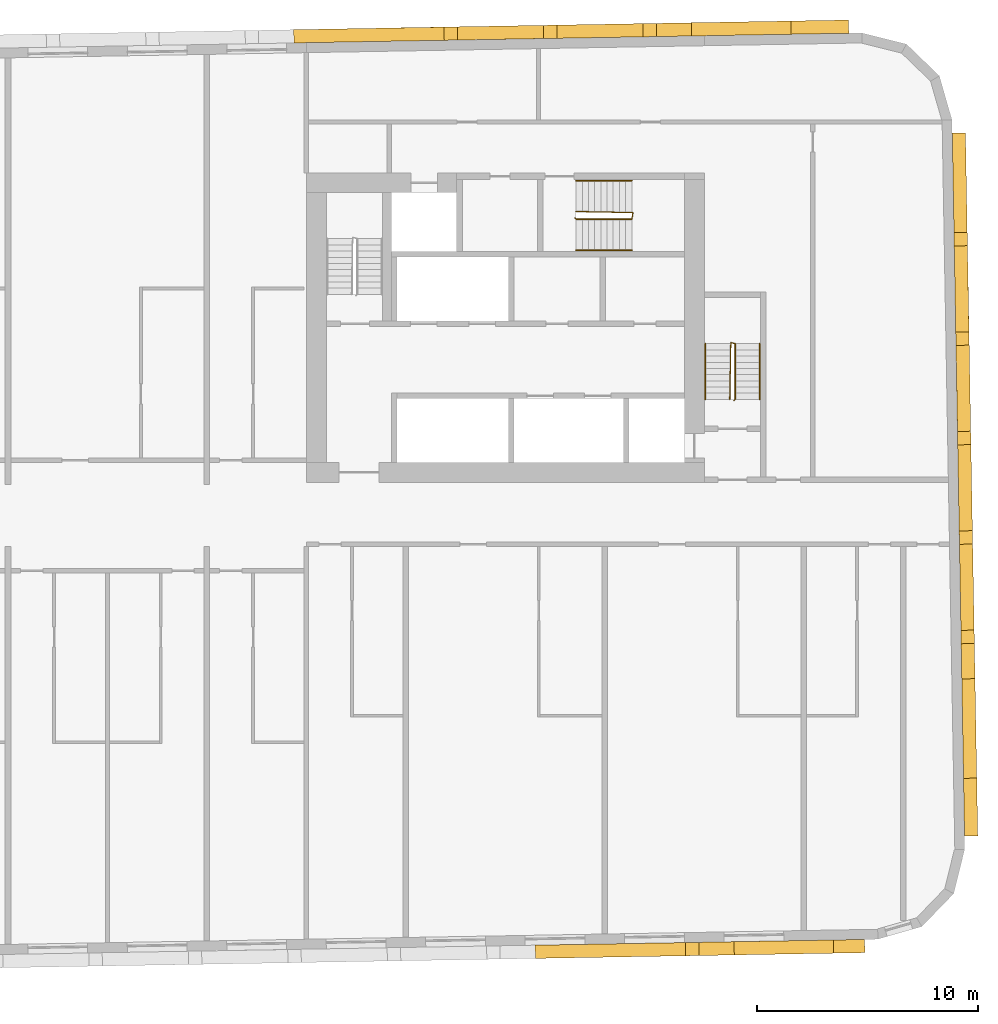
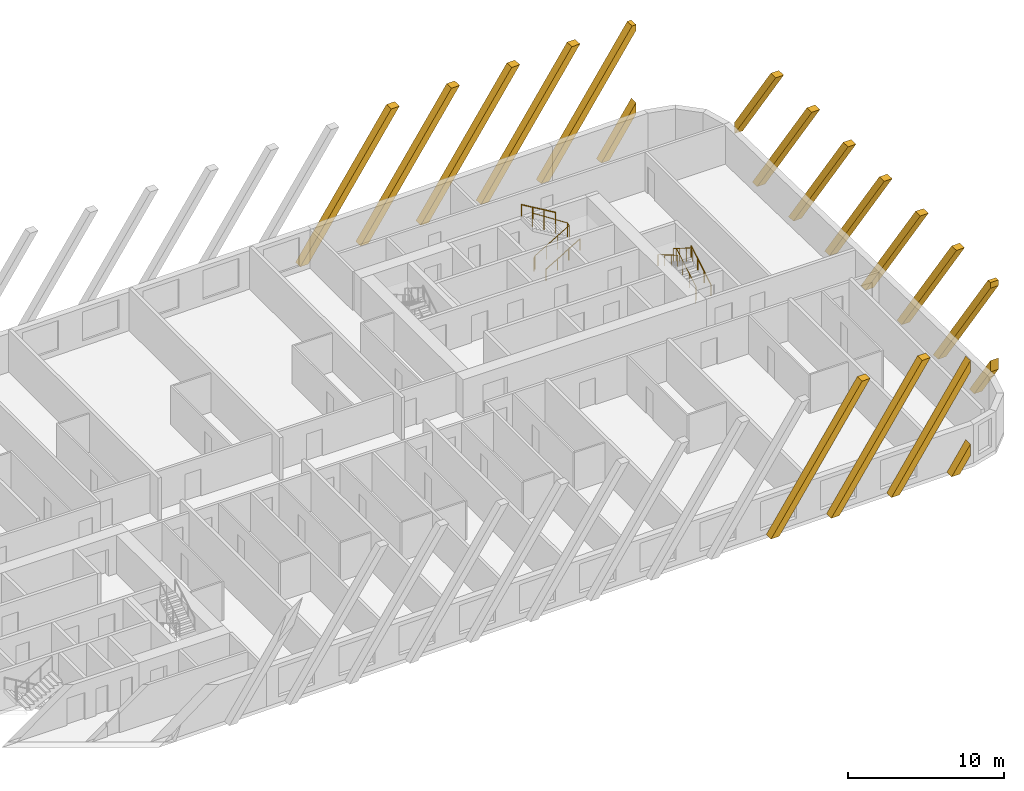
# One storey, part 12 of 12: 18 coverings, 6 railings.
"""IFC4 building model written with IfcOpenShell, lengths in metres."""

from ifc_helpers import new_model, si_unit, direction, frame, origin, origin_2d, place, context, subcontext, project, spatial, polyline, rectangle, circle, outline, extrude, material, material_profile, profile_set, type_object, element, save


model = new_model("IFC4")

# Units and contexts
model_context = context("Model", 3, precision=1e-05, world=origin(), true_north=direction((0.0, 1.0)))
body_context = subcontext(model_context, "Body", "Model", "MODEL_VIEW")
ifc_project = project(units=[si_unit("LENGTHUNIT", "METRE"), si_unit("AREAUNIT", "SQUARE_METRE"), si_unit("VOLUMEUNIT", "CUBIC_METRE"), si_unit("PLANEANGLEUNIT", "RADIAN"), si_unit("MASSUNIT", "GRAM", prefix="KILO")], contexts=[model_context])

# Site, building, storey
site_placement = place(None, origin())
site = spatial("IfcSite", under=ifc_project, at=site_placement, CompositionType="ELEMENT")
building_placement = place(site_placement, origin())
building = spatial("IfcBuilding", under=site, at=building_placement, Name="Kajstack Hotel Tower", CompositionType="ELEMENT")
storey_placement = place(building_placement, frame((0.0, 0.0, 247.39990234375)))
storey = spatial("IfcBuildingStorey", under=building, at=storey_placement, Name="L61", CompositionType="ELEMENT", Elevation=247.39990234375)

# Coverings
ifc_material_1 = material(Name="Terracotta", Category="masonry")
ifc_material_profile = material_profile(ifc_material_1, rectangle(XDim=0.60009765625, YDim=0.5, at=origin_2d()), Name="Terracotta-clad concrete baguette 500 x 600")
ifc_profile_set = profile_set([ifc_material_profile], Name="Terracotta")
covering_type = type_object("IfcCoveringType", Name="BAGUETTE 500x600", PredefinedType="CLADDING", material=ifc_profile_set)
covering_1_placement = place(storey_placement, frame((23.84716796875, -19.439208984375, 0.0), z_axis=(0.017498337962, -0.999846892363, 0.0), x_axis=(0.999846892363, 0.017498337962, 0.0)))
element("IfcCovering", 1, at=covering_1_placement, inside=storey, type_object=covering_type, Name="Baguette L61-04-055", PredefinedType="CLADDING", context=body_context, shape_type="SweptSolid", body=[
    extrude(outline(polyline([(6.80419921875, 9.89990234375), (0.0, 0.0), (0.606689453125, 0.0), (7.410888671875, 9.89990234375), (6.80419921875, 9.89990234375)])), origin(), (0.0, 0.0, 1.0), 0.599853515625),
])
covering_2_placement = place(storey_placement, frame((28.346435546875, -19.360595703125, 0.0), z_axis=(0.017491221207, -0.999847016888, 0.0), x_axis=(0.999847016888, 0.017491221207, 0.0)))
element("IfcCovering", 2, at=covering_2_placement, inside=storey, type_object=covering_type, Name="Baguette L61-04-059", PredefinedType="CLADDING", context=body_context, shape_type="SweptSolid", body=[
    extrude(outline(polyline([(6.80419921875, 9.89990234375), (0.0, 0.0), (0.606689453125, 0.0), (7.410888671875, 9.89990234375), (6.80419921875, 9.89990234375)])), origin(), (0.0, 0.0, 1.0), 0.60009765625),
])
covering_3_placement = place(storey_placement, frame((32.845947265625, -19.2822265625, 0.0), z_axis=(0.017498337962, -0.999846892363, 0.0), x_axis=(0.999846892363, 0.017498337962, 0.0)))
element("IfcCovering", 3, at=covering_3_placement, inside=storey, type_object=covering_type, Name="Baguette L61-04-063", PredefinedType="CLADDING", context=body_context, shape_type="SweptSolid", body=[
    extrude(outline(polyline([(0.606689453125, 0.0), (5.907470703125, 7.712646484375), (5.907470703125, 8.595458984375), (0.0, 0.0), (0.606689453125, 0.0)])), origin(), (0.0, 0.0, 1.0), 0.599853515625),
])
covering_4_placement = place(storey_placement, frame((37.34521484375, -19.20361328125, 0.0), z_axis=(0.017498337962, -0.999846892363, 0.0), x_axis=(0.999846892363, 0.017498337962, 0.0)))
element("IfcCovering", 4, at=covering_4_placement, inside=storey, type_object=covering_type, Name="Baguette L61-04-067", PredefinedType="CLADDING", context=body_context, shape_type="SweptSolid", body=[
    extrude(outline(polyline([(0.606689453125, 0.0), (1.407470703125, 1.1650390625), (1.407470703125, 2.0478515625), (0.0, 0.0), (0.606689453125, 0.0)])), origin(), (0.0, 0.0, 1.0), 0.599853515625),
])
covering_5_placement = place(storey_placement, frame((43.271484375, -14.49951171875, 0.0), z_axis=(0.999846892363, 0.017498337962, 0.0), x_axis=(-0.017498337962, 0.999846892363, 0.0)))
element("IfcCovering", 5, at=covering_5_placement, inside=storey, type_object=covering_type, Name="Baguette L61-08-003", PredefinedType="CLADDING", context=body_context, shape_type="SweptSolid", body=[
    extrude(outline(polyline([(2.607421875, 0.0), (0.0, 3.7939453125), (0.0, 2.9111328125), (2.000732421875, 0.0), (2.607421875, 0.0)])), origin(), (0.0, 0.0, 1.0), 0.599853515625),
])
covering_6_placement = place(storey_placement, frame((43.271484375, -14.49951171875, 0.0), z_axis=(0.999846892363, 0.017498337962, 0.0), x_axis=(-0.017498337962, 0.999846892363, 0.0)))
element("IfcCovering", 6, at=covering_6_placement, inside=storey, type_object=covering_type, Name="Baguette L61-08-007", PredefinedType="CLADDING", context=body_context, shape_type="SweptSolid", body=[
    extrude(outline(polyline([(0.303466796875, 9.89990234375), (0.0, 9.89990234375), (0.0, 9.458740234375), (6.500732421875, 0.0), (7.107421875, 0.0), (0.303466796875, 9.89990234375)])), origin(), (0.0, 0.0, 1.0), 0.599853515625),
])
for number, where, z_axis, x_axis, name in (
    (7, (43.1982421875, -10.303466796875, 0.0), (0.999846892363, 0.017498337962, 0.0), (-0.017498337962, 0.999846892363, 0.0), "Baguette L61-08-011"),
    (8, (43.11962890625, -5.80419921875, 0.0), (0.999846892363, 0.017498337962, 0.0), (-0.017498337962, 0.999846892363, 0.0), "Baguette L61-08-015"),
):
    element("IfcCovering", number, at=place(storey_placement, frame(where, z_axis=z_axis, x_axis=x_axis)), inside=storey, type_object=covering_type, Name=name, PredefinedType="CLADDING", context=body_context, shape_type="SweptSolid", body=[
        extrude(outline(polyline([(0.0, 9.89990234375), (6.80419921875, 0.0), (7.410888671875, 0.0), (0.606689453125, 9.89990234375), (0.0, 9.89990234375)])), origin(), (0.0, 0.0, 1.0), 0.599853515625),
    ])
covering_7_placement = place(storey_placement, frame((43.041015625, -1.304931640625, 0.0), z_axis=(0.999847016888, 0.017491221207, 0.0), x_axis=(-0.017491221207, 0.999847016888, 0.0)))
element("IfcCovering", 9, at=covering_7_placement, inside=storey, type_object=covering_type, Name="Baguette L61-08-019", PredefinedType="CLADDING", context=body_context, shape_type="SweptSolid", body=[
    extrude(outline(polyline([(0.0, 9.89990234375), (6.80419921875, 0.0), (7.410888671875, 0.0), (0.606689453125, 9.89990234375), (0.0, 9.89990234375)])), origin(), (0.0, 0.0, 1.0), 0.60009765625),
])
for number, where, z_axis, x_axis, name in (
    (10, (42.962646484375, 3.194580078125, 0.0), (0.999853929301, 0.017091520159, 0.0), (-0.017091520159, 0.999853929301, 0.0), "Baguette L61-08-023"),
    (11, (42.884033203125, 7.69384765625, 0.0), (0.999846892363, 0.017498337962, 0.0), (-0.017498337962, 0.999846892363, 0.0), "Baguette L61-08-027"),
):
    element("IfcCovering", number, at=place(storey_placement, frame(where, z_axis=z_axis, x_axis=x_axis)), inside=storey, type_object=covering_type, Name=name, PredefinedType="CLADDING", context=body_context, shape_type="SweptSolid", body=[
        extrude(outline(polyline([(0.0, 9.89990234375), (6.80419921875, 0.0), (7.410888671875, 0.0), (0.606689453125, 9.89990234375), (0.0, 9.89990234375)])), origin(), (0.0, 0.0, 1.0), 0.599853515625),
    ])
covering_8_placement = place(storey_placement, frame((42.805419921875, 12.193115234375, 0.0), z_axis=(0.999846892363, 0.017498337962, 0.0), x_axis=(-0.017498337962, 0.999846892363, 0.0)))
element("IfcCovering", 12, at=covering_8_placement, inside=storey, type_object=covering_type, Name="Baguette L61-08-031", PredefinedType="CLADDING", context=body_context, shape_type="SweptSolid", body=[
    extrude(outline(polyline([(0.0, 9.89990234375), (5.103271484375, 2.474609375), (5.103271484375, 3.357421875), (0.606689453125, 9.89990234375), (0.0, 9.89990234375)])), origin(), (0.0, 0.0, 1.0), 0.599853515625),
])
covering_9_placement = place(storey_placement, frame((38.036865234375, 21.814697265625, 0.0), z_axis=(-0.017498337962, 0.999846892363, 0.0), x_axis=(-0.999846892363, -0.017498337962, 0.0)))
element("IfcCovering", 13, at=covering_9_placement, inside=storey, type_object=covering_type, Name="Baguette L61-12-003", PredefinedType="CLADDING", context=body_context, shape_type="SweptSolid", body=[
    extrude(outline(polyline([(2.607421875, 0.0), (0.0, 3.7939453125), (0.0, 2.9111328125), (2.000732421875, 0.0), (2.607421875, 0.0)])), origin(), (0.0, 0.0, 1.0), 0.599853515625),
])
covering_10_placement = place(storey_placement, frame((38.036865234375, 21.814697265625, 0.0), z_axis=(-0.017498337962, 0.999846892363, 0.0), x_axis=(-0.999846892363, -0.017498337962, 0.0)))
element("IfcCovering", 14, at=covering_10_placement, inside=storey, type_object=covering_type, Name="Baguette L61-12-007", PredefinedType="CLADDING", context=body_context, shape_type="SweptSolid", body=[
    extrude(outline(polyline([(0.303466796875, 9.89990234375), (0.0, 9.89990234375), (0.0, 9.458740234375), (6.500732421875, 0.0), (7.107421875, 0.0), (0.303466796875, 9.89990234375)])), origin(), (0.0, 0.0, 1.0), 0.599853515625),
])
covering_11_placement = place(storey_placement, frame((33.8408203125, 21.741455078125, 0.0), z_axis=(-0.017498337962, 0.999846892363, 0.0), x_axis=(-0.999846892363, -0.017498337962, 0.0)))
element("IfcCovering", 15, at=covering_11_placement, inside=storey, type_object=covering_type, Name="Baguette L61-12-011", PredefinedType="CLADDING", context=body_context, shape_type="SweptSolid", body=[
    extrude(outline(polyline([(0.0, 9.89990234375), (6.80419921875, 0.0), (7.410888671875, 0.0), (0.606689453125, 9.89990234375), (0.0, 9.89990234375)])), origin(), (0.0, 0.0, 1.0), 0.599853515625),
])
covering_12_placement = place(storey_placement, frame((29.341552734375, 21.662841796875, 0.0), z_axis=(-0.017491221207, 0.999847016888, 0.0), x_axis=(-0.999847016888, -0.017491221207, 0.0)))
element("IfcCovering", 16, at=covering_12_placement, inside=storey, type_object=covering_type, Name="Baguette L61-12-015", PredefinedType="CLADDING", context=body_context, shape_type="SweptSolid", body=[
    extrude(outline(polyline([(0.0, 9.89990234375), (6.80419921875, 0.0), (7.410888671875, 0.0), (0.606689453125, 9.89990234375), (0.0, 9.89990234375)])), origin(), (0.0, 0.0, 1.0), 0.60009765625),
])
for number, where, z_axis, x_axis, name in (
    (17, (24.842041015625, 21.58447265625, 0.0), (-0.017091520159, 0.999853929301, 0.0), (-0.999853929301, -0.017091520159, 0.0), "Baguette L61-12-019"),
    (18, (20.3427734375, 21.505859375, 0.0), (-0.017498337962, 0.999846892363, 0.0), (-0.999846892363, -0.017498337962, 0.0), "Baguette L61-12-023"),
):
    element("IfcCovering", number, at=place(storey_placement, frame(where, z_axis=z_axis, x_axis=x_axis)), inside=storey, type_object=covering_type, Name=name, PredefinedType="CLADDING", context=body_context, shape_type="SweptSolid", body=[
        extrude(outline(polyline([(0.0, 9.89990234375), (6.80419921875, 0.0), (7.410888671875, 0.0), (0.606689453125, 9.89990234375), (0.0, 9.89990234375)])), origin(), (0.0, 0.0, 1.0), 0.599853515625),
    ])

# Railings
ifc_material_2 = material(Name="Steel S355J2", Category="steel")
railing_type_1 = type_object("IfcRailingType", Name="Stair guard 1100", PredefinedType="GUARDRAIL", material=ifc_material_2)
railing_1_placement = place(storey_placement, frame((32.85009765625, 5.199951171875, 0.0)))
element("IfcRailing", 19, at=railing_1_placement, inside=storey, type_object=railing_type_1, Name="L61 E1 stair guard 1", PredefinedType="GUARDRAIL", context=body_context, shape_type="SweptSolid", body=[
    extrude(circle(Radius=0.02392578125, at=origin_2d()), frame((0.0, 0.0, 1.076171875), z_axis=(0.277450376394, 0.278810427259, 0.919394384522), x_axis=(-0.708833529934, 0.705375805398, 0.0)), (0.0, 0.0, 1.0), 0.179443359375),
    extrude(circle(Radius=0.02392578125, at=origin_2d()), frame((0.0498046875, 0.050048828125, 1.2412109375), z_axis=(0.0, 0.86152411907, 0.507716645641), x_axis=(-1.0, 0.0, 0.0)), (0.0, 0.0, 1.0), 2.925048828125),
    extrude(circle(Radius=0.02392578125, at=origin_2d()), frame((0.0498046875, 2.570068359375, 2.72607421875), z_axis=(-0.970072785993, 0.242814311512, 0.0), x_axis=(-0.242814311512, -0.970072785993, 0.0)), (0.0, 0.0, 1.0), 0.2060546875),
    extrude(circle(Radius=0.02392578125, at=origin_2d()), frame((-0.150146484375, 2.6201171875, 2.72607421875), z_axis=(-0.016385308676, -0.841405582595, 0.540155687962), x_axis=(0.999810440751, -0.019470042781, 0.0)), (0.0, 0.0, 1.0), 3.054443359375),
    extrude(circle(Radius=0.02099609375, at=origin_2d()), origin(), (0.0, 0.0, 1.0), 1.052001953125),
    extrude(circle(Radius=0.02099609375, at=origin_2d()), frame((0.0498046875, 0.050048828125, 0.1650390625)), (0.0, 0.0, 1.0), 1.052001953125),
    extrude(circle(Radius=0.02099609375, at=origin_2d()), frame((0.0498046875, 0.89013671875, 0.66015625)), (0.0, 0.0, 1.0), 1.052001953125),
    extrude(circle(Radius=0.02099609375, at=origin_2d()), frame((0.0498046875, 1.72998046875, 1.155029296875)), (0.0, 0.0, 1.0), 1.052001953125),
    extrude(circle(Radius=0.02099609375, at=origin_2d()), frame((0.0498046875, 2.570068359375, 1.650146484375)), (0.0, 0.0, 1.0), 1.052001953125),
    extrude(circle(Radius=0.02099609375, at=origin_2d()), frame((-0.150146484375, 2.6201171875, 1.650146484375)), (0.0, 0.0, 1.0), 1.052001953125),
    extrude(circle(Radius=0.02099609375, at=origin_2d()), frame((-0.166748046875, 1.763427734375, 2.2001953125)), (0.0, 0.0, 1.0), 1.052001953125),
    extrude(circle(Radius=0.02099609375, at=origin_2d()), frame((-0.18359375, 0.90673828125, 2.75)), (0.0, 0.0, 1.0), 1.052001953125),
    extrude(circle(Radius=0.02099609375, at=origin_2d()), frame((-0.2001953125, 0.050048828125, 3.300048828125)), (0.0, 0.0, 1.0), 1.052001953125),
])
railing_2_placement = place(storey_placement, frame((25.64990234375, 13.449951171875, 0.0)))
element("IfcRailing", 20, at=railing_2_placement, inside=storey, type_object=railing_type_1, Name="L61 E3 stair guard 1", PredefinedType="GUARDRAIL", context=body_context, shape_type="SweptSolid", body=[
    extrude(circle(Radius=0.02392578125, at=origin_2d()), frame((0.0, 0.0, 1.076171875), z_axis=(0.278705021027, -0.278705021027, 0.919046801044), x_axis=(0.707106781187, 0.707106781187, 0.0)), (0.0, 0.0, 1.0), 0.1796875),
    extrude(circle(Radius=0.02392578125, at=origin_2d()), frame((0.050048828125, -0.050048828125, 1.2412109375), z_axis=(0.86152411907, 0.0, 0.507716645641), x_axis=(0.0, 1.0, 0.0)), (0.0, 0.0, 1.0), 2.925048828125),
    extrude(circle(Radius=0.02392578125, at=origin_2d()), frame((2.570068359375, -0.050048828125, 2.72607421875), z_axis=(0.164529134168, 0.986372223864, 0.0), x_axis=(-0.986372223864, 0.164529134168, 0.0)), (0.0, 0.0, 1.0), 0.30419921875),
    extrude(circle(Radius=0.02392578125, at=origin_2d()), frame((2.6201171875, 0.25, 2.72607421875), z_axis=(-0.841405582595, 0.016385308676, 0.540155687962), x_axis=(-0.019470042781, -0.999810440751, 0.0)), (0.0, 0.0, 1.0), 3.054443359375),
    extrude(circle(Radius=0.02099609375, at=origin_2d()), origin(), (0.0, 0.0, 1.0), 1.052001953125),
    extrude(circle(Radius=0.02099609375, at=origin_2d()), frame((0.050048828125, -0.050048828125, 0.1650390625)), (0.0, 0.0, 1.0), 1.052001953125),
    extrude(circle(Radius=0.02099609375, at=origin_2d()), frame((0.89013671875, -0.050048828125, 0.66015625)), (0.0, 0.0, 1.0), 1.052001953125),
    extrude(circle(Radius=0.02099609375, at=origin_2d()), frame((1.72998046875, -0.050048828125, 1.155029296875)), (0.0, 0.0, 1.0), 1.052001953125),
    extrude(circle(Radius=0.02099609375, at=origin_2d()), frame((2.570068359375, -0.050048828125, 1.650146484375)), (0.0, 0.0, 1.0), 1.052001953125),
    extrude(circle(Radius=0.02099609375, at=origin_2d()), frame((2.6201171875, 0.25, 1.650146484375)), (0.0, 0.0, 1.0), 1.052001953125),
    extrude(circle(Radius=0.02099609375, at=origin_2d()), frame((1.763427734375, 0.2666015625, 2.2001953125)), (0.0, 0.0, 1.0), 1.052001953125),
    extrude(circle(Radius=0.02099609375, at=origin_2d()), frame((0.90673828125, 0.283447265625, 2.75)), (0.0, 0.0, 1.0), 1.052001953125),
    extrude(circle(Radius=0.02099609375, at=origin_2d()), frame((0.050048828125, 0.300048828125, 3.300048828125)), (0.0, 0.0, 1.0), 1.052001953125),
])
railing_type_2 = type_object("IfcRailingType", Name="Stair handrail 900", PredefinedType="HANDRAIL", material=ifc_material_2)
railing_3_placement = place(storey_placement, frame((34.0, 5.25, 0.1650390625)))
element("IfcRailing", 21, at=railing_3_placement, inside=storey, type_object=railing_type_2, Name="L61 E1 stair handrail 1", PredefinedType="HANDRAIL", context=body_context, shape_type="SweptSolid", body=[
    extrude(circle(Radius=0.02392578125, at=origin_2d()), frame((0.0, 0.0, 0.8759765625), z_axis=(0.0, 0.86152411907, 0.507716645641), x_axis=(-1.0, 0.0, 0.0)), (0.0, 0.0, 1.0), 2.925048828125),
    extrude(circle(Radius=0.02099609375, at=origin_2d()), origin(), (0.0, 0.0, 1.0), 0.851806640625),
    extrude(circle(Radius=0.02099609375, at=origin_2d()), frame((0.0, 0.840087890625, 0.4951171875)), (0.0, 0.0, 1.0), 0.851806640625),
    extrude(circle(Radius=0.02099609375, at=origin_2d()), frame((0.0, 1.679931640625, 0.989990234375)), (0.0, 0.0, 1.0), 0.851806640625),
    extrude(circle(Radius=0.02099609375, at=origin_2d()), frame((0.0, 2.52001953125, 1.485107421875)), (0.0, 0.0, 1.0), 0.851806640625),
])
railing_4_placement = place(storey_placement, frame((31.550048828125, 7.77001953125, 1.815185546875)))
element("IfcRailing", 22, at=railing_4_placement, inside=storey, type_object=railing_type_2, Name="L61 E1 stair handrail 2", PredefinedType="HANDRAIL", context=body_context, shape_type="SweptSolid", body=[
    extrude(circle(Radius=0.02392578125, at=origin_2d()), frame((0.0, 0.0, 0.8759765625), z_axis=(0.0, -0.861560626758, 0.507654692109), x_axis=(1.0, 0.0, 0.0)), (0.0, 0.0, 1.0), 2.925048828125),
    extrude(circle(Radius=0.02099609375, at=origin_2d()), origin(), (0.0, 0.0, 1.0), 0.851806640625),
    extrude(circle(Radius=0.02099609375, at=origin_2d()), frame((0.0, -0.840087890625, 0.494873046875)), (0.0, 0.0, 1.0), 0.851806640625),
    extrude(circle(Radius=0.02099609375, at=origin_2d()), frame((0.0, -1.679931640625, 0.989990234375)), (0.0, 0.0, 1.0), 0.851806640625),
    extrude(circle(Radius=0.02099609375, at=origin_2d()), frame((0.0, -2.52001953125, 1.48486328125)), (0.0, 0.0, 1.0), 0.851806640625),
])
railing_5_placement = place(storey_placement, frame((25.699951171875, 12.0, 0.1650390625)))
element("IfcRailing", 23, at=railing_5_placement, inside=storey, type_object=railing_type_2, Name="L61 E3 stair handrail 1", PredefinedType="HANDRAIL", context=body_context, shape_type="SweptSolid", body=[
    extrude(circle(Radius=0.02392578125, at=origin_2d()), frame((0.0, 0.0, 0.8759765625), z_axis=(0.86152411907, 0.0, 0.507716645641), x_axis=(0.0, 1.0, 0.0)), (0.0, 0.0, 1.0), 2.925048828125),
    extrude(circle(Radius=0.02099609375, at=origin_2d()), origin(), (0.0, 0.0, 1.0), 0.851806640625),
    extrude(circle(Radius=0.02099609375, at=origin_2d()), frame((0.840087890625, 0.0, 0.4951171875)), (0.0, 0.0, 1.0), 0.851806640625),
    extrude(circle(Radius=0.02099609375, at=origin_2d()), frame((1.679931640625, 0.0, 0.989990234375)), (0.0, 0.0, 1.0), 0.851806640625),
    extrude(circle(Radius=0.02099609375, at=origin_2d()), frame((2.52001953125, 0.0, 1.485107421875)), (0.0, 0.0, 1.0), 0.851806640625),
])
railing_6_placement = place(storey_placement, frame((28.219970703125, 15.14990234375, 1.815185546875)))
element("IfcRailing", 24, at=railing_6_placement, inside=storey, type_object=railing_type_2, Name="L61 E3 stair handrail 2", PredefinedType="HANDRAIL", context=body_context, shape_type="SweptSolid", body=[
    extrude(circle(Radius=0.02392578125, at=origin_2d()), frame((0.0, 0.0, 0.8759765625), z_axis=(-0.861560626758, 0.0, 0.507654692109), x_axis=(0.0, -1.0, 0.0)), (0.0, 0.0, 1.0), 2.925048828125),
    extrude(circle(Radius=0.02099609375, at=origin_2d()), origin(), (0.0, 0.0, 1.0), 0.851806640625),
    extrude(circle(Radius=0.02099609375, at=origin_2d()), frame((-0.840087890625, 0.0, 0.494873046875)), (0.0, 0.0, 1.0), 0.851806640625),
    extrude(circle(Radius=0.02099609375, at=origin_2d()), frame((-1.679931640625, 0.0, 0.989990234375)), (0.0, 0.0, 1.0), 0.851806640625),
    extrude(circle(Radius=0.02099609375, at=origin_2d()), frame((-2.52001953125, 0.0, 1.48486328125)), (0.0, 0.0, 1.0), 0.851806640625),
])

save(model, "model.ifc")
